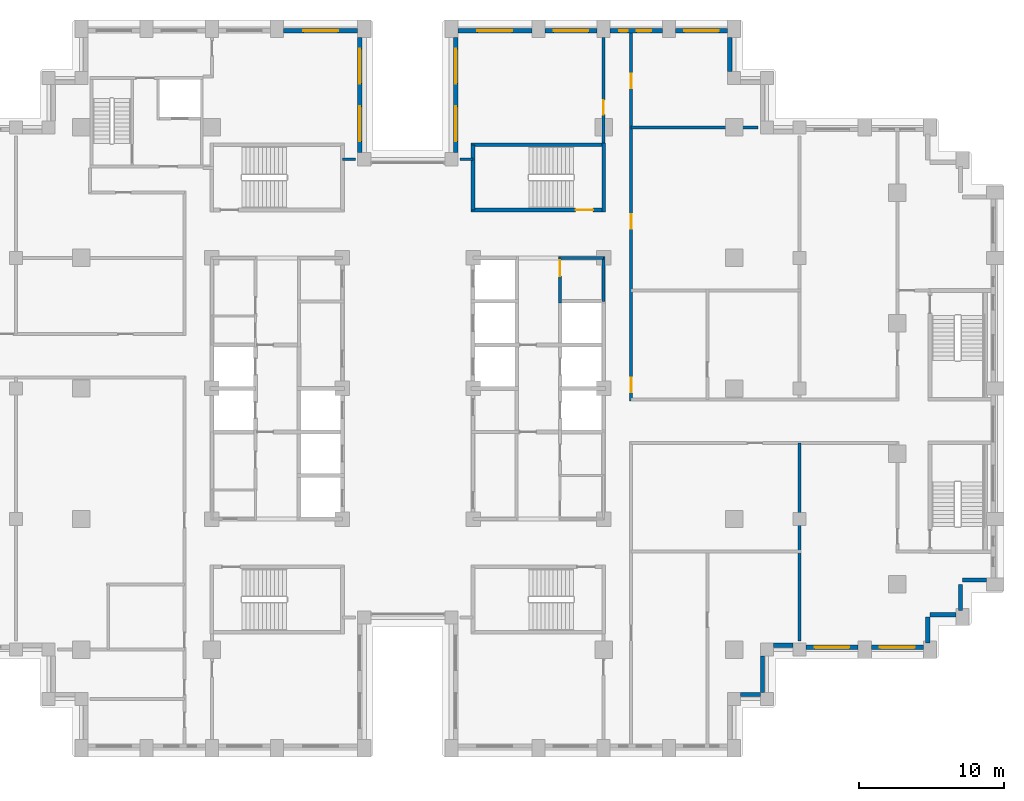
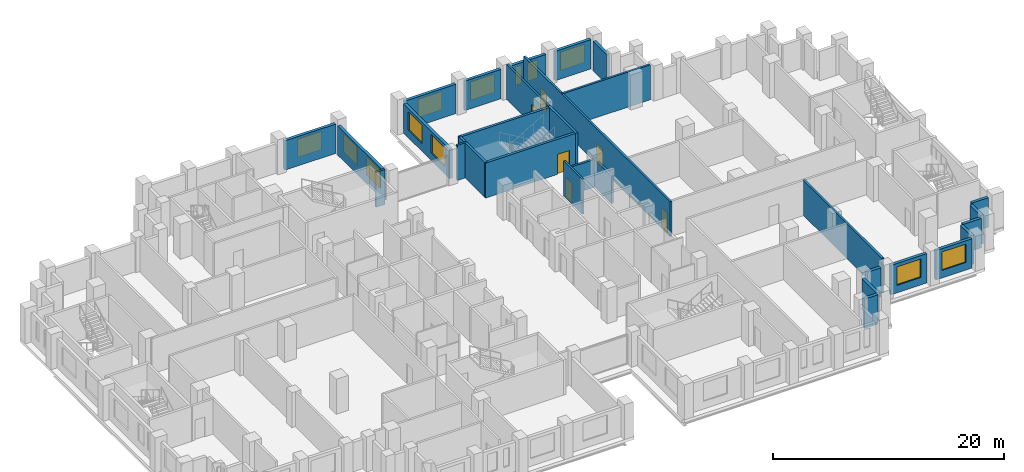
# One storey, part 11 of 16: 30 walls, 12 windows, 6 doors, 18 openings.
"""IFC4 building model written with IfcOpenShell, lengths in metres."""

from ifc_helpers import new_model, si_unit, direction, frame, frame_2d, origin, place, context, subcontext, project, spatial, rectangle, extrude, material, layer, layer_set, type_object, element, fill, save


model = new_model("IFC4")

# Units and contexts
model_context = context("Model", 3, precision=1e-05, world=origin(), true_north=direction((0.0, 1.0)))
body_context = subcontext(model_context, "Body", "Model", "MODEL_VIEW")
ifc_project = project(units=[si_unit("LENGTHUNIT", "METRE"), si_unit("AREAUNIT", "SQUARE_METRE"), si_unit("VOLUMEUNIT", "CUBIC_METRE"), si_unit("PLANEANGLEUNIT", "RADIAN"), si_unit("MASSUNIT", "GRAM", prefix="KILO")], contexts=[model_context])

# Site, building, storey
site_placement = place(None, origin())
site = spatial("IfcSite", under=ifc_project, at=site_placement, CompositionType="ELEMENT")
building_placement = place(site_placement, origin())
building = spatial("IfcBuilding", under=site, at=building_placement, Name="Corbelhall Arena Tower", CompositionType="ELEMENT")
storey_placement = place(building_placement, frame((0.0, 0.0, 76.0)))
storey = spatial("IfcBuildingStorey", under=building, at=storey_placement, Name="L11", CompositionType="ELEMENT", Elevation=76.0)

# Walls
ifc_material_1 = material(Name="Precast concrete C40/50 with granite facing", Category="masonry")
ifc_layer_1 = layer(ifc_material_1, 0.300048828125)
ifc_layer_set_1 = layer_set([ifc_layer_1], Name="EV-IW1 Infill panel 300")
wall_type_1 = type_object("IfcWallType", Name="EV-IW1 Infill panel 300", PredefinedType="SOLIDWALL", material=ifc_layer_set_1)
for number, where, z_axis, x_axis, name in (
    (1, (35.85009765625, -17.550048828125, 0.0), (0.0, 0.0, 1.0), (0.0, 1.0, 0.0), "Infill panel IW1"),
    (2, (37.800048828125, -15.60009765625, 0.0), (0.0, 0.0, 1.0), (-1.0, 0.0, 0.0), "Infill panel IW1"),
    (3, (38.10009765625, -15.300048828125, 0.0), (0.0, 0.0, 1.0), (0.0, 1.0, 0.0), "Infill panel IW1"),
):
    element("IfcWall", number, at=place(storey_placement, frame(where, z_axis=z_axis, x_axis=x_axis)), inside=storey, type_object=wall_type_1, Name=name, PredefinedType="SOLIDWALL", context=body_context, shape_type="SweptSolid", body=[
        extrude(rectangle(XDim=1.800048828125, YDim=0.300048828125, at=frame_2d((0.89990234375, 0.0))), origin(), (0.0, 0.0, 1.0), 3.10009765625),
    ])
wall_1_placement = place(storey_placement, frame((39.89990234375, -13.199951171875, 0.0), z_axis=(0.0, 0.0, 1.0), x_axis=(-1.0, 0.0, 0.0)))
element("IfcWall", 4, at=wall_1_placement, inside=storey, type_object=wall_type_1, Name="Infill panel IW1", PredefinedType="SOLIDWALL", context=body_context, shape_type="SweptSolid", body=[
    extrude(rectangle(XDim=1.64990234375, YDim=0.300048828125, at=frame_2d((0.824951171875, 0.0))), origin(), (0.0, 0.0, 1.0), 3.10009765625),
])
wall_2_placement = place(storey_placement, frame((22.949951171875, -21.10009765625, 0.0), z_axis=(0.0, 0.0, 1.0), x_axis=(1.0, 0.0, 0.0)))
element("IfcWall", 5, at=wall_2_placement, inside=storey, type_object=wall_type_1, Name="Infill panel IW1", PredefinedType="SOLIDWALL", context=body_context, shape_type="SweptSolid", body=[
    extrude(rectangle(XDim=1.35009765625, YDim=0.300048828125, at=frame_2d((0.675048828125, 0.0))), origin(), (0.0, 0.0, 1.0), 3.10009765625),
])
wall_3_placement = place(storey_placement, frame((24.449951171875, -20.949951171875, 0.0), z_axis=(0.0, 0.0, 1.0), x_axis=(0.0, 1.0, 0.0)))
element("IfcWall", 6, at=wall_3_placement, inside=storey, type_object=wall_type_1, Name="Infill panel IW1", PredefinedType="SOLIDWALL", context=body_context, shape_type="SweptSolid", body=[
    extrude(rectangle(XDim=2.5, YDim=0.300048828125, at=frame_2d((1.25, 0.0))), origin(), (0.0, 0.0, 1.0), 3.10009765625),
])
wall_4_placement = place(storey_placement, frame((25.199951171875, -17.699951171875, 0.0), z_axis=(0.0, 0.0, 1.0), x_axis=(1.0, 0.0, 0.0)))
element("IfcWall", 7, at=wall_4_placement, inside=storey, type_object=wall_type_1, Name="Infill panel IW1", PredefinedType="SOLIDWALL", context=body_context, shape_type="SweptSolid", body=[
    extrude(rectangle(XDim=1.35009765625, YDim=0.300048828125, at=frame_2d((0.675048828125, 0.0))), origin(), (0.0, 0.0, 1.0), 3.10009765625),
])

# Wall, opening, window
wall_5_placement = place(storey_placement, frame((27.449951171875, -17.85009765625, 0.0), z_axis=(0.0, 0.0, 1.0), x_axis=(1.0, 0.0, 0.0)))
wall_5 = element("IfcWall", 8, at=wall_5_placement, inside=storey, type_object=wall_type_1, Name="Infill panel IW1", PredefinedType="SOLIDWALL", context=body_context, shape_type="SweptSolid", body=[
    extrude(rectangle(XDim=3.60009765625, YDim=0.300048828125, at=frame_2d((1.800048828125, 0.0))), origin(), (0.0, 0.0, 1.0), 3.10009765625),
])
opening_1_placement = place(wall_5_placement, frame((0.60009765625, 0.0, 0.800048828125)))
opening_1 = element("IfcOpeningElement", 9, at=opening_1_placement, cuts=wall_5, Name="Opening WN1", PredefinedType="OPENING", context=body_context, shape_type="SweptSolid", body=[
    extrude(rectangle(XDim=2.39990234375, YDim=1.949951171875, at=frame_2d((1.199951171875, 0.97509765625))), frame((0.0, 0.14990234375, 0.0), z_axis=(0.0, -1.0, 0.0), x_axis=(1.0, 0.0, 0.0)), (0.0, 0.0, 1.0), 0.300048828125),
])
ifc_material_2 = material(Name="Aluminium black anodised", Category="aluminium")
window_type_1 = type_object("IfcWindowType", Name="EV-WN1 Office window", PartitioningType="SINGLE_PANEL", PredefinedType="WINDOW", material=ifc_material_2)
window_1_placement = place(opening_1_placement, origin())
window_1 = element("IfcWindow", 10, at=window_1_placement, inside=storey, type_object=window_type_1, Name="Window WN1", OverallHeight=1.949951171875, OverallWidth=2.39990234375, PartitioningType="SINGLE_PANEL", PredefinedType="WINDOW", context=body_context, shape_type="SweptSolid", body=[
    extrude(rectangle(XDim=2.39990234375, YDim=1.949951171875, at=frame_2d((1.199951171875, 0.97509765625))), frame((0.0, 0.030029296875, 0.0), z_axis=(0.0, -1.0, 0.0), x_axis=(1.0, 0.0, 0.0)), (0.0, 0.0, 1.0), 0.06005859375),
])
fill(opening_1, window_1)

wall_6_placement = place(storey_placement, frame((31.949951171875, -17.85009765625, 0.0), z_axis=(0.0, 0.0, 1.0), x_axis=(1.0, 0.0, 0.0)))
wall_6 = element("IfcWall", 11, at=wall_6_placement, inside=storey, type_object=wall_type_1, Name="Infill panel IW1", PredefinedType="SOLIDWALL", context=body_context, shape_type="SweptSolid", body=[
    extrude(rectangle(XDim=3.60009765625, YDim=0.300048828125, at=frame_2d((1.800048828125, 0.0))), origin(), (0.0, 0.0, 1.0), 3.10009765625),
])
opening_2_placement = place(wall_6_placement, frame((0.60009765625, 0.0, 0.800048828125)))
opening_2 = element("IfcOpeningElement", 12, at=opening_2_placement, cuts=wall_6, Name="Opening WN1", PredefinedType="OPENING", context=body_context, shape_type="SweptSolid", body=[
    extrude(rectangle(XDim=2.39990234375, YDim=1.949951171875, at=frame_2d((1.199951171875, 0.97509765625))), frame((0.0, 0.14990234375, 0.0), z_axis=(0.0, -1.0, 0.0), x_axis=(1.0, 0.0, 0.0)), (0.0, 0.0, 1.0), 0.300048828125),
])
window_2_placement = place(opening_2_placement, origin())
window_2 = element("IfcWindow", 13, at=window_2_placement, inside=storey, type_object=window_type_1, Name="Window WN1", OverallHeight=1.949951171875, OverallWidth=2.39990234375, PartitioningType="SINGLE_PANEL", PredefinedType="WINDOW", context=body_context, shape_type="SweptSolid", body=[
    extrude(rectangle(XDim=2.39990234375, YDim=1.949951171875, at=frame_2d((1.199951171875, 0.97509765625))), frame((0.0, 0.030029296875, 0.0), z_axis=(0.0, -1.0, 0.0), x_axis=(1.0, 0.0, 0.0)), (0.0, 0.0, 1.0), 0.06005859375),
])
fill(opening_2, window_2)

# Wall
wall_7_placement = place(storey_placement, frame((22.199951171875, 21.85009765625, 0.0), z_axis=(0.0, 0.0, 1.0), x_axis=(0.0, 1.0, 0.0)))
element("IfcWall", 14, at=wall_7_placement, inside=storey, type_object=wall_type_1, Name="Infill panel IW1", PredefinedType="SOLIDWALL", context=body_context, shape_type="SweptSolid", body=[
    extrude(rectangle(XDim=2.349853515625, YDim=0.300048828125, at=frame_2d((1.1748046875, 0.0))), origin(), (0.0, 0.0, 1.0), 3.10009765625),
])

# Wall, opening, window
wall_8_placement = place(storey_placement, frame((22.050048828125, 24.64990234375, 0.0), z_axis=(0.0, 0.0, 1.0), x_axis=(-1.0, 0.0, 0.0)))
wall_8 = element("IfcWall", 15, at=wall_8_placement, inside=storey, type_object=wall_type_1, Name="Infill panel IW1", PredefinedType="SOLIDWALL", context=body_context, shape_type="SweptSolid", body=[
    extrude(rectangle(XDim=3.60009765625, YDim=0.300048828125, at=frame_2d((1.800048828125, 0.0))), origin(), (0.0, 0.0, 1.0), 3.10009765625),
])
opening_3_placement = place(wall_8_placement, frame((0.60009765625, 0.0, 0.800048828125)))
opening_3 = element("IfcOpeningElement", 16, at=opening_3_placement, cuts=wall_8, Name="Opening WN1", PredefinedType="OPENING", context=body_context, shape_type="SweptSolid", body=[
    extrude(rectangle(XDim=2.39990234375, YDim=1.949951171875, at=frame_2d((1.199951171875, 0.97509765625))), frame((0.0, 0.14990234375, 0.0), z_axis=(0.0, -1.0, 0.0), x_axis=(1.0, 0.0, 0.0)), (0.0, 0.0, 1.0), 0.300048828125),
])
window_3_placement = place(opening_3_placement, origin())
window_3 = element("IfcWindow", 17, at=window_3_placement, inside=storey, type_object=window_type_1, Name="Window WN1", OverallHeight=1.949951171875, OverallWidth=2.39990234375, PartitioningType="SINGLE_PANEL", PredefinedType="WINDOW", context=body_context, shape_type="SweptSolid", body=[
    extrude(rectangle(XDim=2.39990234375, YDim=1.949951171875, at=frame_2d((1.199951171875, 0.97509765625))), frame((0.0, 0.030029296875, 0.0), z_axis=(0.0, -1.0, 0.0), x_axis=(1.0, 0.0, 0.0)), (0.0, 0.0, 1.0), 0.06005859375),
])
fill(opening_3, window_3)

# Wall, openings, windows
wall_9_placement = place(storey_placement, frame((17.550048828125, 24.64990234375, 0.0), z_axis=(0.0, 0.0, 1.0), x_axis=(-1.0, 0.0, 0.0)))
wall_9 = element("IfcWall", 18, at=wall_9_placement, inside=storey, type_object=wall_type_1, Name="Infill panel IW1", PredefinedType="SOLIDWALL", context=body_context, shape_type="SweptSolid", body=[
    extrude(rectangle(XDim=3.60009765625, YDim=0.300048828125, at=frame_2d((1.800048828125, 0.0))), origin(), (0.0, 0.0, 1.0), 3.10009765625),
])
opening_4_placement = place(wall_9_placement, frame((0.77490234375, 0.0, 0.800048828125)))
opening_4 = element("IfcOpeningElement", 19, at=opening_4_placement, cuts=wall_9, Name="Opening WN6", PredefinedType="OPENING", context=body_context, shape_type="SweptSolid", body=[
    extrude(rectangle(XDim=1.0, YDim=1.949951171875, at=frame_2d((0.5, 0.97509765625))), frame((0.0, 0.14990234375, 0.0), z_axis=(0.0, -1.0, 0.0), x_axis=(1.0, 0.0, 0.0)), (0.0, 0.0, 1.0), 0.300048828125),
])
opening_5_placement = place(wall_9_placement, frame((2.375, 0.0, 0.800048828125)))
opening_5 = element("IfcOpeningElement", 20, at=opening_5_placement, cuts=wall_9, Name="Opening WN5", PredefinedType="OPENING", context=body_context, shape_type="SweptSolid", body=[
    extrude(rectangle(XDim=0.60009765625, YDim=1.949951171875, at=frame_2d((0.300048828125, 0.97509765625))), frame((0.0, 0.14990234375, 0.0), z_axis=(0.0, -1.0, 0.0), x_axis=(1.0, 0.0, 0.0)), (0.0, 0.0, 1.0), 0.300048828125),
])
window_type_2 = type_object("IfcWindowType", Name="EV-WN5 Office window 600", PartitioningType="SINGLE_PANEL", PredefinedType="WINDOW", material=ifc_material_2)
window_4_placement = place(opening_5_placement, origin())
window_4 = element("IfcWindow", 21, at=window_4_placement, inside=storey, type_object=window_type_2, Name="Window WN5", OverallHeight=1.949951171875, OverallWidth=0.60009765625, PartitioningType="SINGLE_PANEL", PredefinedType="WINDOW", context=body_context, shape_type="SweptSolid", body=[
    extrude(rectangle(XDim=0.60009765625, YDim=1.949951171875, at=frame_2d((0.300048828125, 0.97509765625))), frame((0.0, 0.030029296875, 0.0), z_axis=(0.0, -1.0, 0.0), x_axis=(1.0, 0.0, 0.0)), (0.0, 0.0, 1.0), 0.06005859375),
])
fill(opening_5, window_4)
window_type_3 = type_object("IfcWindowType", Name="EV-WN6 Office window 1000", PartitioningType="SINGLE_PANEL", PredefinedType="WINDOW", material=ifc_material_2)
window_5_placement = place(opening_4_placement, origin())
window_5 = element("IfcWindow", 22, at=window_5_placement, inside=storey, type_object=window_type_3, Name="Window WN6", OverallHeight=1.949951171875, OverallWidth=1.0, PartitioningType="SINGLE_PANEL", PredefinedType="WINDOW", context=body_context, shape_type="SweptSolid", body=[
    extrude(rectangle(XDim=1.0, YDim=1.949951171875, at=frame_2d((0.5, 0.97509765625))), frame((0.0, 0.030029296875, 0.0), z_axis=(0.0, -1.0, 0.0), x_axis=(1.0, 0.0, 0.0)), (0.0, 0.0, 1.0), 0.06005859375),
])
fill(opening_4, window_5)

# Wall, opening, window
wall_10_placement = place(storey_placement, frame((13.050048828125, 24.64990234375, 0.0), z_axis=(0.0, 0.0, 1.0), x_axis=(-1.0, 0.0, 0.0)))
wall_10 = element("IfcWall", 23, at=wall_10_placement, inside=storey, type_object=wall_type_1, Name="Infill panel IW1", PredefinedType="SOLIDWALL", context=body_context, shape_type="SweptSolid", body=[
    extrude(rectangle(XDim=3.60009765625, YDim=0.300048828125, at=frame_2d((1.800048828125, 0.0))), origin(), (0.0, 0.0, 1.0), 3.10009765625),
])
opening_6_placement = place(wall_10_placement, frame((0.60009765625, 0.0, 0.800048828125)))
opening_6 = element("IfcOpeningElement", 24, at=opening_6_placement, cuts=wall_10, Name="Opening WN1", PredefinedType="OPENING", context=body_context, shape_type="SweptSolid", body=[
    extrude(rectangle(XDim=2.39990234375, YDim=1.949951171875, at=frame_2d((1.199951171875, 0.97509765625))), frame((0.0, 0.14990234375, 0.0), z_axis=(0.0, -1.0, 0.0), x_axis=(1.0, 0.0, 0.0)), (0.0, 0.0, 1.0), 0.300048828125),
])
window_6_placement = place(opening_6_placement, origin())
window_6 = element("IfcWindow", 25, at=window_6_placement, inside=storey, type_object=window_type_1, Name="Window WN1", OverallHeight=1.949951171875, OverallWidth=2.39990234375, PartitioningType="SINGLE_PANEL", PredefinedType="WINDOW", context=body_context, shape_type="SweptSolid", body=[
    extrude(rectangle(XDim=2.39990234375, YDim=1.949951171875, at=frame_2d((1.199951171875, 0.97509765625))), frame((0.0, 0.030029296875, 0.0), z_axis=(0.0, -1.0, 0.0), x_axis=(1.0, 0.0, 0.0)), (0.0, 0.0, 1.0), 0.06005859375),
])
fill(opening_6, window_6)

wall_11_placement = place(storey_placement, frame((8.550048828125, 24.64990234375, 0.0), z_axis=(0.0, 0.0, 1.0), x_axis=(-1.0, 0.0, 0.0)))
wall_11 = element("IfcWall", 26, at=wall_11_placement, inside=storey, type_object=wall_type_1, Name="Infill panel IW1", PredefinedType="SOLIDWALL", context=body_context, shape_type="SweptSolid", body=[
    extrude(rectangle(XDim=5.10009765625, YDim=0.300048828125, at=frame_2d((2.550048828125, 0.0))), origin(), (0.0, 0.0, 1.0), 3.10009765625),
])
opening_7_placement = place(wall_11_placement, frame((1.35009765625, 0.0, 0.800048828125)))
opening_7 = element("IfcOpeningElement", 27, at=opening_7_placement, cuts=wall_11, Name="Opening WN1", PredefinedType="OPENING", context=body_context, shape_type="SweptSolid", body=[
    extrude(rectangle(XDim=2.39990234375, YDim=1.949951171875, at=frame_2d((1.199951171875, 0.97509765625))), frame((0.0, 0.14990234375, 0.0), z_axis=(0.0, -1.0, 0.0), x_axis=(1.0, 0.0, 0.0)), (0.0, 0.0, 1.0), 0.300048828125),
])
window_7_placement = place(opening_7_placement, origin())
window_7 = element("IfcWindow", 28, at=window_7_placement, inside=storey, type_object=window_type_1, Name="Window WN1", OverallHeight=1.949951171875, OverallWidth=2.39990234375, PartitioningType="SINGLE_PANEL", PredefinedType="WINDOW", context=body_context, shape_type="SweptSolid", body=[
    extrude(rectangle(XDim=2.39990234375, YDim=1.949951171875, at=frame_2d((1.199951171875, 0.97509765625))), frame((0.0, 0.030029296875, 0.0), z_axis=(0.0, -1.0, 0.0), x_axis=(1.0, 0.0, 0.0)), (0.0, 0.0, 1.0), 0.06005859375),
])
fill(opening_7, window_7)

# Wall, openings, windows
wall_12_placement = place(storey_placement, frame((3.300048828125, 24.199951171875, 0.0), z_axis=(0.0, 0.0, 1.0), x_axis=(0.0, -1.0, 0.0)))
wall_12 = element("IfcWall", 29, at=wall_12_placement, inside=storey, type_object=wall_type_1, Name="Infill panel IW1", PredefinedType="SOLIDWALL", context=body_context, shape_type="SweptSolid", body=[
    extrude(rectangle(XDim=7.949951171875, YDim=0.300048828125, at=frame_2d((3.97509765625, 0.0))), origin(), (0.0, 0.0, 1.0), 3.10009765625),
])
opening_8_placement = place(wall_12_placement, frame((0.78759765625, 0.0, 0.800048828125)))
opening_8 = element("IfcOpeningElement", 30, at=opening_8_placement, cuts=wall_12, Name="Opening WN1", PredefinedType="OPENING", context=body_context, shape_type="SweptSolid", body=[
    extrude(rectangle(XDim=2.39990234375, YDim=1.949951171875, at=frame_2d((1.199951171875, 0.97509765625))), frame((0.0, 0.14990234375, 0.0), z_axis=(0.0, -1.0, 0.0), x_axis=(1.0, 0.0, 0.0)), (0.0, 0.0, 1.0), 0.300048828125),
])
opening_9_placement = place(wall_12_placement, frame((4.762451171875, 0.0, 0.800048828125)))
opening_9 = element("IfcOpeningElement", 31, at=opening_9_placement, cuts=wall_12, Name="Opening WN1", PredefinedType="OPENING", context=body_context, shape_type="SweptSolid", body=[
    extrude(rectangle(XDim=2.39990234375, YDim=1.949951171875, at=frame_2d((1.199951171875, 0.97509765625))), frame((0.0, 0.14990234375, 0.0), z_axis=(0.0, -1.0, 0.0), x_axis=(1.0, 0.0, 0.0)), (0.0, 0.0, 1.0), 0.300048828125),
])
window_8_placement = place(opening_8_placement, origin())
window_8 = element("IfcWindow", 32, at=window_8_placement, inside=storey, type_object=window_type_1, Name="Window WN1", OverallHeight=1.949951171875, OverallWidth=2.39990234375, PartitioningType="SINGLE_PANEL", PredefinedType="WINDOW", context=body_context, shape_type="SweptSolid", body=[
    extrude(rectangle(XDim=2.39990234375, YDim=1.949951171875, at=frame_2d((1.199951171875, 0.97509765625))), frame((0.0, 0.030029296875, 0.0), z_axis=(0.0, -1.0, 0.0), x_axis=(1.0, 0.0, 0.0)), (0.0, 0.0, 1.0), 0.06005859375),
])
fill(opening_8, window_8)
window_9_placement = place(opening_9_placement, origin())
window_9 = element("IfcWindow", 33, at=window_9_placement, inside=storey, type_object=window_type_1, Name="Window WN1", OverallHeight=1.949951171875, OverallWidth=2.39990234375, PartitioningType="SINGLE_PANEL", PredefinedType="WINDOW", context=body_context, shape_type="SweptSolid", body=[
    extrude(rectangle(XDim=2.39990234375, YDim=1.949951171875, at=frame_2d((1.199951171875, 0.97509765625))), frame((0.0, 0.030029296875, 0.0), z_axis=(0.0, -1.0, 0.0), x_axis=(1.0, 0.0, 0.0)), (0.0, 0.0, 1.0), 0.06005859375),
])
fill(opening_9, window_9)

wall_13_placement = place(storey_placement, frame((-3.300048828125, 16.25, 0.0), z_axis=(0.0, 0.0, 1.0), x_axis=(0.0, 1.0, 0.0)))
wall_13 = element("IfcWall", 34, at=wall_13_placement, inside=storey, type_object=wall_type_1, Name="Infill panel IW1", PredefinedType="SOLIDWALL", context=body_context, shape_type="SweptSolid", body=[
    extrude(rectangle(XDim=7.949951171875, YDim=0.300048828125, at=frame_2d((3.97509765625, 0.0))), origin(), (0.0, 0.0, 1.0), 3.10009765625),
])
opening_10_placement = place(wall_13_placement, frame((0.78759765625, 0.0, 0.800048828125)))
opening_10 = element("IfcOpeningElement", 35, at=opening_10_placement, cuts=wall_13, Name="Opening WN1", PredefinedType="OPENING", context=body_context, shape_type="SweptSolid", body=[
    extrude(rectangle(XDim=2.39990234375, YDim=1.949951171875, at=frame_2d((1.199951171875, 0.97509765625))), frame((0.0, 0.14990234375, 0.0), z_axis=(0.0, -1.0, 0.0), x_axis=(1.0, 0.0, 0.0)), (0.0, 0.0, 1.0), 0.300048828125),
])
opening_11_placement = place(wall_13_placement, frame((4.762451171875, 0.0, 0.800048828125)))
opening_11 = element("IfcOpeningElement", 36, at=opening_11_placement, cuts=wall_13, Name="Opening WN1", PredefinedType="OPENING", context=body_context, shape_type="SweptSolid", body=[
    extrude(rectangle(XDim=2.39990234375, YDim=1.949951171875, at=frame_2d((1.199951171875, 0.97509765625))), frame((0.0, 0.14990234375, 0.0), z_axis=(0.0, -1.0, 0.0), x_axis=(1.0, 0.0, 0.0)), (0.0, 0.0, 1.0), 0.300048828125),
])
window_10_placement = place(opening_10_placement, origin())
window_10 = element("IfcWindow", 37, at=window_10_placement, inside=storey, type_object=window_type_1, Name="Window WN1", OverallHeight=1.949951171875, OverallWidth=2.39990234375, PartitioningType="SINGLE_PANEL", PredefinedType="WINDOW", context=body_context, shape_type="SweptSolid", body=[
    extrude(rectangle(XDim=2.39990234375, YDim=1.949951171875, at=frame_2d((1.199951171875, 0.97509765625))), frame((0.0, 0.030029296875, 0.0), z_axis=(0.0, -1.0, 0.0), x_axis=(1.0, 0.0, 0.0)), (0.0, 0.0, 1.0), 0.06005859375),
])
fill(opening_10, window_10)
window_11_placement = place(opening_11_placement, origin())
window_11 = element("IfcWindow", 38, at=window_11_placement, inside=storey, type_object=window_type_1, Name="Window WN1", OverallHeight=1.949951171875, OverallWidth=2.39990234375, PartitioningType="SINGLE_PANEL", PredefinedType="WINDOW", context=body_context, shape_type="SweptSolid", body=[
    extrude(rectangle(XDim=2.39990234375, YDim=1.949951171875, at=frame_2d((1.199951171875, 0.97509765625))), frame((0.0, 0.030029296875, 0.0), z_axis=(0.0, -1.0, 0.0), x_axis=(1.0, 0.0, 0.0)), (0.0, 0.0, 1.0), 0.06005859375),
])
fill(opening_11, window_11)

# Wall, opening, window
wall_14_placement = place(storey_placement, frame((-3.449951171875, 24.64990234375, 0.0), z_axis=(0.0, 0.0, 1.0), x_axis=(-1.0, 0.0, 0.0)))
wall_14 = element("IfcWall", 39, at=wall_14_placement, inside=storey, type_object=wall_type_1, Name="Infill panel IW1", PredefinedType="SOLIDWALL", context=body_context, shape_type="SweptSolid", body=[
    extrude(rectangle(XDim=5.10009765625, YDim=0.300048828125, at=frame_2d((2.550048828125, 0.0))), origin(), (0.0, 0.0, 1.0), 3.10009765625),
])
opening_12_placement = place(wall_14_placement, frame((1.35009765625, 0.0, 0.800048828125)))
opening_12 = element("IfcOpeningElement", 40, at=opening_12_placement, cuts=wall_14, Name="Opening WN1", PredefinedType="OPENING", context=body_context, shape_type="SweptSolid", body=[
    extrude(rectangle(XDim=2.39990234375, YDim=1.949951171875, at=frame_2d((1.199951171875, 0.97509765625))), frame((0.0, 0.14990234375, 0.0), z_axis=(0.0, -1.0, 0.0), x_axis=(1.0, 0.0, 0.0)), (0.0, 0.0, 1.0), 0.300048828125),
])
window_12_placement = place(opening_12_placement, origin())
window_12 = element("IfcWindow", 41, at=window_12_placement, inside=storey, type_object=window_type_1, Name="Window WN1", OverallHeight=1.949951171875, OverallWidth=2.39990234375, PartitioningType="SINGLE_PANEL", PredefinedType="WINDOW", context=body_context, shape_type="SweptSolid", body=[
    extrude(rectangle(XDim=2.39990234375, YDim=1.949951171875, at=frame_2d((1.199951171875, 0.97509765625))), frame((0.0, 0.030029296875, 0.0), z_axis=(0.0, -1.0, 0.0), x_axis=(1.0, 0.0, 0.0)), (0.0, 0.0, 1.0), 0.06005859375),
])
fill(opening_12, window_12)

# Walls
ifc_material_3 = material(Name="Gypsum board on steel stud, acoustic", Category="steel")
ifc_layer_2 = layer(ifc_material_3, 0.199951171875)
ifc_layer_set_2 = layer_set([ifc_layer_2], Name="IN-W-DM200")
wall_type_2 = type_object("IfcWallType", Name="IN-W-DM200", PredefinedType="PARTITIONING", material=ifc_layer_set_2)
for number, where, z_axis, x_axis, name in (
    (42, (-4.5, 15.800048828125, 0.0), (0.0, 0.0, 1.0), (1.0, 0.0, 0.0), "Partition 023"),
    (43, (3.60009765625, 15.800048828125, 0.0), (0.0, 0.0, 1.0), (1.0, 0.0, 0.0), "Partition 025"),
):
    element("IfcWall", number, at=place(storey_placement, frame(where, z_axis=z_axis, x_axis=x_axis)), inside=storey, type_object=wall_type_2, Name=name, PredefinedType="PARTITIONING", context=body_context, shape_type="SweptSolid", body=[
        extrude(rectangle(XDim=0.89990234375, YDim=0.199951171875, at=frame_2d((0.449951171875, 0.0))), origin(), (0.0, 0.0, 1.0), 3.699951171875),
    ])

# Wall, opening, door
wall_15_placement = place(storey_placement, frame((13.5, 16.675048828125, 0.0), z_axis=(0.0, 0.0, 1.0), x_axis=(0.0, 1.0, 0.0)))
wall_15 = element("IfcWall", 44, at=wall_15_placement, inside=storey, type_object=wall_type_2, Name="Partition 028", PredefinedType="PARTITIONING", context=body_context, shape_type="SweptSolid", body=[
    extrude(rectangle(XDim=7.52490234375, YDim=0.199951171875, at=frame_2d((3.762451171875, 0.0))), origin(), (0.0, 0.0, 1.0), 3.699951171875),
])
opening_13_placement = place(wall_15_placement, frame((2.199951171875, 0.0, 0.0)))
opening_13 = element("IfcOpeningElement", 45, at=opening_13_placement, cuts=wall_15, Name="Opening 01024", PredefinedType="OPENING", context=body_context, shape_type="SweptSolid", body=[
    extrude(rectangle(XDim=1.0, YDim=2.10009765625, at=frame_2d((0.5, 1.050048828125))), frame((0.0, 0.10009765625, 0.0), z_axis=(0.0, -1.0, 0.0), x_axis=(1.0, 0.0, 0.0)), (0.0, 0.0, 1.0), 0.199951171875),
])
ifc_material_4 = material(Name="Steel door set", Category="steel")
door_type_1 = type_object("IfcDoorType", Name="IN-D-SW100", OperationType="NOTDEFINED", PredefinedType="DOOR", material=ifc_material_4)
door_1_placement = place(opening_13_placement, origin())
door_1 = element("IfcDoor", 46, at=door_1_placement, inside=storey, type_object=door_type_1, Name="Door 024", OperationType="SINGLE_SWING_LEFT", OverallHeight=2.10009765625, OverallWidth=1.0, PredefinedType="DOOR", context=body_context, shape_type="SweptSolid", body=[
    extrude(rectangle(XDim=1.0, YDim=2.10009765625, at=frame_2d((0.5, 1.050048828125))), frame((0.0, 0.02490234375, 0.0), z_axis=(0.0, -1.0, 0.0), x_axis=(1.0, 0.0, 0.0)), (0.0, 0.0, 1.0), 0.050048828125),
])
fill(opening_13, door_1)

# Wall, openings, doors
wall_16_placement = place(storey_placement, frame((15.39990234375, 24.5, 0.0), z_axis=(0.0, 0.0, 1.0), x_axis=(0.0, -1.0, 0.0)))
wall_16 = element("IfcWall", 47, at=wall_16_placement, inside=storey, type_object=wall_type_2, Name="Partition 033", PredefinedType="PARTITIONING", context=body_context, shape_type="SweptSolid", body=[
    extrude(rectangle(XDim=25.35009765625, YDim=0.199951171875, at=frame_2d((12.675048828125, 0.0))), origin(), (0.0, 0.0, 1.0), 3.699951171875),
])
opening_14_placement = place(wall_16_placement, frame((23.75, 0.0, 0.0)))
opening_14 = element("IfcOpeningElement", 48, at=opening_14_placement, cuts=wall_16, Name="Opening 01033", PredefinedType="OPENING", context=body_context, shape_type="SweptSolid", body=[
    extrude(rectangle(XDim=1.0, YDim=2.10009765625, at=frame_2d((0.5, 1.050048828125))), frame((0.0, 0.10009765625, 0.0), z_axis=(0.0, -1.0, 0.0), x_axis=(1.0, 0.0, 0.0)), (0.0, 0.0, 1.0), 0.199951171875),
])
opening_15_placement = place(wall_16_placement, frame((12.5, 0.0, 0.0)))
opening_15 = element("IfcOpeningElement", 49, at=opening_15_placement, cuts=wall_16, Name="Opening 01035", PredefinedType="OPENING", context=body_context, shape_type="SweptSolid", body=[
    extrude(rectangle(XDim=1.0, YDim=2.10009765625, at=frame_2d((0.5, 1.050048828125))), frame((0.0, 0.10009765625, 0.0), z_axis=(0.0, -1.0, 0.0), x_axis=(1.0, 0.0, 0.0)), (0.0, 0.0, 1.0), 0.199951171875),
])
opening_16_placement = place(wall_16_placement, frame((2.800048828125, 0.0, 0.0)))
opening_16 = element("IfcOpeningElement", 50, at=opening_16_placement, cuts=wall_16, Name="Opening 01036", PredefinedType="OPENING", context=body_context, shape_type="SweptSolid", body=[
    extrude(rectangle(XDim=1.0, YDim=2.10009765625, at=frame_2d((0.5, 1.050048828125))), frame((0.0, 0.10009765625, 0.0), z_axis=(0.0, -1.0, 0.0), x_axis=(1.0, 0.0, 0.0)), (0.0, 0.0, 1.0), 0.199951171875),
])
door_2_placement = place(opening_14_placement, origin())
door_2 = element("IfcDoor", 51, at=door_2_placement, inside=storey, type_object=door_type_1, Name="Door 033", OperationType="SINGLE_SWING_RIGHT", OverallHeight=2.10009765625, OverallWidth=1.0, PredefinedType="DOOR", context=body_context, shape_type="SweptSolid", body=[
    extrude(rectangle(XDim=1.0, YDim=2.10009765625, at=frame_2d((0.5, 1.050048828125))), frame((0.0, 0.02490234375, 0.0), z_axis=(0.0, -1.0, 0.0), x_axis=(1.0, 0.0, 0.0)), (0.0, 0.0, 1.0), 0.050048828125),
])
fill(opening_14, door_2)
door_3_placement = place(opening_15_placement, origin())
door_3 = element("IfcDoor", 52, at=door_3_placement, inside=storey, type_object=door_type_1, Name="Door 035", OperationType="SINGLE_SWING_RIGHT", OverallHeight=2.10009765625, OverallWidth=1.0, PredefinedType="DOOR", context=body_context, shape_type="SweptSolid", body=[
    extrude(rectangle(XDim=1.0, YDim=2.10009765625, at=frame_2d((0.5, 1.050048828125))), frame((0.0, 0.02490234375, 0.0), z_axis=(0.0, -1.0, 0.0), x_axis=(1.0, 0.0, 0.0)), (0.0, 0.0, 1.0), 0.050048828125),
])
fill(opening_15, door_3)
door_4_placement = place(opening_16_placement, origin())
door_4 = element("IfcDoor", 53, at=door_4_placement, inside=storey, type_object=door_type_1, Name="Door 036", OperationType="SINGLE_SWING_LEFT", OverallHeight=2.10009765625, OverallWidth=1.0, PredefinedType="DOOR", context=body_context, shape_type="SweptSolid", body=[
    extrude(rectangle(XDim=1.0, YDim=2.10009765625, at=frame_2d((0.5, 1.050048828125))), frame((0.0, 0.02490234375, 0.0), z_axis=(0.0, -1.0, 0.0), x_axis=(1.0, 0.0, 0.0)), (0.0, 0.0, 1.0), 0.050048828125),
])
fill(opening_16, door_4)

# Walls
wall_17_placement = place(storey_placement, frame((15.39990234375, 18.0, 0.0), z_axis=(0.0, 0.0, 1.0), x_axis=(1.0, 0.0, 0.0)))
element("IfcWall", 54, at=wall_17_placement, inside=storey, type_object=wall_type_2, Name="Partition 034", PredefinedType="PARTITIONING", context=body_context, shape_type="SweptSolid", body=[
    extrude(rectangle(XDim=8.75, YDim=0.199951171875, at=frame_2d((4.375, 0.0))), origin(), (0.0, 0.0, 1.0), 3.699951171875),
])
wall_18_placement = place(storey_placement, frame((27.0, -3.75, 0.0), z_axis=(0.0, 0.0, 1.0), x_axis=(0.0, -1.0, 0.0)))
element("IfcWall", 55, at=wall_18_placement, inside=storey, type_object=wall_type_2, Name="Partition 037", PredefinedType="PARTITIONING", context=body_context, shape_type="SweptSolid", body=[
    extrude(rectangle(XDim=13.64990234375, YDim=0.199951171875, at=frame_2d((6.824951171875, 0.0))), origin(), (0.0, 0.0, 1.0), 3.699951171875),
])

# Wall, opening, door
ifc_material_5 = material(Name="Concrete block wall", Category="concrete")
ifc_layer_3 = layer(ifc_material_5, 0.199951171875)
ifc_layer_set_3 = layer_set([ifc_layer_3], Name="IN-W-RS200")
wall_type_3 = type_object("IfcWallType", Name="IN-W-RS200", PredefinedType="SOLIDWALL", material=ifc_layer_set_3)
wall_19_placement = place(storey_placement, frame((10.5, 9.10009765625, 0.0), z_axis=(0.0, 0.0, 1.0), x_axis=(0.0, -1.0, 0.0)))
wall_19 = element("IfcWall", 56, at=wall_19_placement, inside=storey, type_object=wall_type_3, Name="Partition 059", PredefinedType="SOLIDWALL", context=body_context, shape_type="SweptSolid", body=[
    extrude(rectangle(XDim=3.22509765625, YDim=0.199951171875, at=frame_2d((1.612548828125, 0.0))), origin(), (0.0, 0.0, 1.0), 3.699951171875),
])
opening_17_placement = place(wall_19_placement, frame((0.25, 0.0, 0.0)))
opening_17 = element("IfcOpeningElement", 57, at=opening_17_placement, cuts=wall_19, Name="Opening 01014", PredefinedType="OPENING", context=body_context, shape_type="SweptSolid", body=[
    extrude(rectangle(XDim=1.10009765625, YDim=2.10009765625, at=frame_2d((0.550048828125, 1.050048828125))), frame((0.0, 0.10009765625, 0.0), z_axis=(0.0, -1.0, 0.0), x_axis=(1.0, 0.0, 0.0)), (0.0, 0.0, 1.0), 0.199951171875),
])
door_type_2 = type_object("IfcDoorType", Name="IN-D-FD110", OperationType="NOTDEFINED", PredefinedType="DOOR", material=ifc_material_4)
door_5_placement = place(opening_17_placement, origin())
door_5 = element("IfcDoor", 58, at=door_5_placement, inside=storey, type_object=door_type_2, Name="Door 014", OperationType="SINGLE_SWING_LEFT", OverallHeight=2.10009765625, OverallWidth=1.10009765625, PredefinedType="DOOR", context=body_context, shape_type="SweptSolid", body=[
    extrude(rectangle(XDim=1.10009765625, YDim=2.10009765625, at=frame_2d((0.550048828125, 1.050048828125))), frame((0.0, 0.02490234375, 0.0), z_axis=(0.0, -1.0, 0.0), x_axis=(1.0, 0.0, 0.0)), (0.0, 0.0, 1.0), 0.050048828125),
])
fill(opening_17, door_5)

# Walls
ifc_layer_4 = layer(ifc_material_5, 0.199951171875)
ifc_layer_set_4 = layer_set([ifc_layer_4], Name="IN-W-RS200 under beam 762 mm")
wall_type_4 = type_object("IfcWallType", Name="IN-W-RS200 under beam 762 mm", PredefinedType="SOLIDWALL", material=ifc_layer_set_4)
wall_20_placement = place(storey_placement, frame((10.5, 9.0, 0.0), z_axis=(0.0, 0.0, 1.0), x_axis=(1.0, 0.0, 0.0)))
element("IfcWall", 59, at=wall_20_placement, inside=storey, type_object=wall_type_4, Name="Partition 058", PredefinedType="SOLIDWALL", context=body_context, shape_type="SweptSolid", body=[
    extrude(rectangle(XDim=3.0, YDim=0.199951171875, at=frame_2d((1.5, 0.0))), origin(), (0.0, 0.0, 1.0), 2.93798828125),
])
wall_21_placement = place(storey_placement, frame((13.5, 9.10009765625, 0.0), z_axis=(0.0, 0.0, 1.0), x_axis=(0.0, -1.0, 0.0)))
element("IfcWall", 60, at=wall_21_placement, inside=storey, type_object=wall_type_4, Name="Partition 061", PredefinedType="SOLIDWALL", context=body_context, shape_type="SweptSolid", body=[
    extrude(rectangle(XDim=3.10009765625, YDim=0.199951171875, at=frame_2d((1.550048828125, 0.0))), origin(), (0.0, 0.0, 1.0), 2.93798828125),
])

# Wall, opening, door
ifc_material_6 = material(Name="Concrete C40/50", Category="concrete")
ifc_layer_5 = layer(ifc_material_6, 0.25)
ifc_layer_set_5 = layer_set([ifc_layer_5], Name="IN-W-ST250")
wall_type_5 = type_object("IfcWallType", Name="IN-W-ST250", PredefinedType="SOLIDWALL", material=ifc_layer_set_5)
wall_22_placement = place(storey_placement, frame((4.375, 12.300048828125, 0.0), z_axis=(0.0, 0.0, 1.0), x_axis=(1.0, 0.0, 0.0)))
wall_22 = element("IfcWall", 61, at=wall_22_placement, inside=storey, type_object=wall_type_5, Name="Shaft wall 097", PredefinedType="SOLIDWALL", context=body_context, shape_type="SweptSolid", body=[
    extrude(rectangle(XDim=9.125, YDim=0.25, at=frame_2d((4.5625, 0.0))), origin(), (0.0, 0.0, 1.0), 3.699951171875),
])
opening_18_placement = place(wall_22_placement, frame((7.199951171875, 0.0, 0.0)))
opening_18 = element("IfcOpeningElement", 62, at=opening_18_placement, cuts=wall_22, Name="Opening 01017", PredefinedType="OPENING", context=body_context, shape_type="SweptSolid", body=[
    extrude(rectangle(XDim=1.199951171875, YDim=2.10009765625, at=frame_2d((0.60009765625, 1.050048828125))), frame((0.0, 0.125, 0.0), z_axis=(0.0, -1.0, 0.0), x_axis=(1.0, 0.0, 0.0)), (0.0, 0.0, 1.0), 0.25),
])
door_type_3 = type_object("IfcDoorType", Name="IN-D-ST120", OperationType="NOTDEFINED", PredefinedType="DOOR", material=ifc_material_4)
door_6_placement = place(opening_18_placement, origin())
door_6 = element("IfcDoor", 63, at=door_6_placement, inside=storey, type_object=door_type_3, Name="Door 017", OperationType="SINGLE_SWING_RIGHT", OverallHeight=2.10009765625, OverallWidth=1.199951171875, PredefinedType="DOOR", context=body_context, shape_type="SweptSolid", body=[
    extrude(rectangle(XDim=1.199951171875, YDim=2.10009765625, at=frame_2d((0.60009765625, 1.050048828125))), frame((0.0, 0.02490234375, 0.0), z_axis=(0.0, -1.0, 0.0), x_axis=(1.0, 0.0, 0.0)), (0.0, 0.0, 1.0), 0.050048828125),
])
fill(opening_18, door_6)

# Walls
wall_23_placement = place(storey_placement, frame((4.375, 16.800048828125, 0.0), z_axis=(0.0, 0.0, 1.0), x_axis=(1.0, 0.0, 0.0)))
element("IfcWall", 64, at=wall_23_placement, inside=storey, type_object=wall_type_5, Name="Shaft wall 098", PredefinedType="SOLIDWALL", context=body_context, shape_type="SweptSolid", body=[
    extrude(rectangle(XDim=9.125, YDim=0.25, at=frame_2d((4.5625, 0.0))), origin(), (0.0, 0.0, 1.0), 3.699951171875),
])
wall_24_placement = place(storey_placement, frame((4.5, 12.300048828125, 0.0), z_axis=(0.0, 0.0, 1.0), x_axis=(0.0, 1.0, 0.0)))
element("IfcWall", 65, at=wall_24_placement, inside=storey, type_object=wall_type_5, Name="Shaft wall 100", PredefinedType="SOLIDWALL", context=body_context, shape_type="SweptSolid", body=[
    extrude(rectangle(XDim=4.5, YDim=0.25, at=frame_2d((2.25, 0.0))), origin(), (0.0, 0.0, 1.0), 3.699951171875),
])
wall_25_placement = place(storey_placement, frame((13.5, 12.175048828125, 0.0), z_axis=(0.0, 0.0, 1.0), x_axis=(0.0, 1.0, 0.0)))
element("IfcWall", 66, at=wall_25_placement, inside=storey, type_object=wall_type_5, Name="Shaft wall 104", PredefinedType="SOLIDWALL", context=body_context, shape_type="SweptSolid", body=[
    extrude(rectangle(XDim=4.75, YDim=0.25, at=frame_2d((2.375, 0.0))), origin(), (0.0, 0.0, 1.0), 3.699951171875),
])

save(model, "model.ifc")
